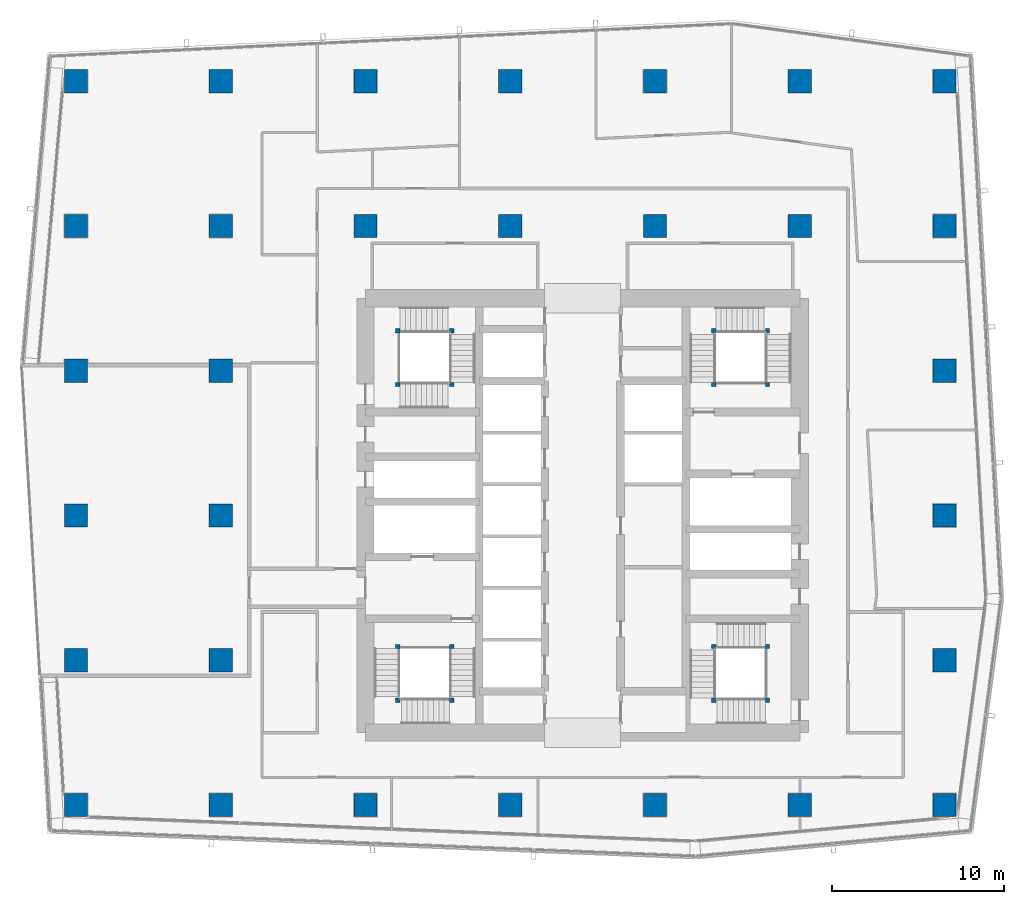
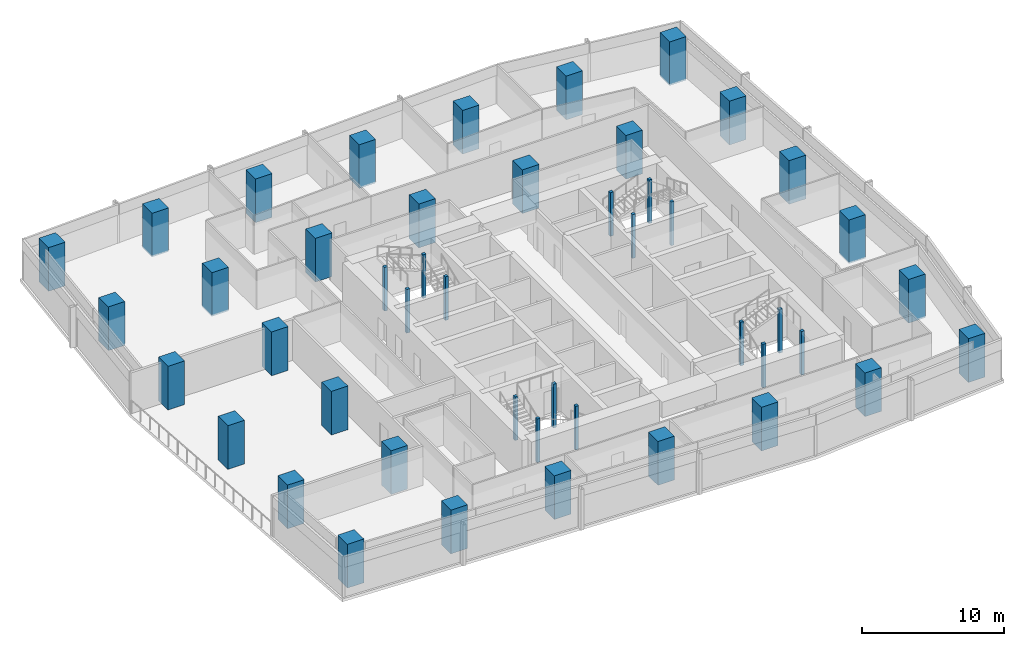
# One storey, part 1 of 39: 46 columns.
"""IFC4 building model written with IfcOpenShell, lengths in metres."""

from ifc_helpers import new_model, si_unit, direction, frame, origin, origin_2d, place, context, subcontext, project, spatial, rectangle, extrude, material, material_profile, profile_set, type_object, element, save


model = new_model("IFC4")

# Units and contexts
model_context = context("Model", 3, precision=1e-05, world=origin(), true_north=direction((0.0, 1.0)))
body_context = subcontext(model_context, "Body", "Model", "MODEL_VIEW")
ifc_project = project(units=[si_unit("LENGTHUNIT", "METRE"), si_unit("AREAUNIT", "SQUARE_METRE"), si_unit("VOLUMEUNIT", "CUBIC_METRE"), si_unit("PLANEANGLEUNIT", "RADIAN"), si_unit("MASSUNIT", "GRAM", prefix="KILO")], contexts=[model_context])

# Site, building, storey
site_placement = place(None, origin())
site = spatial("IfcSite", under=ifc_project, at=site_placement, CompositionType="ELEMENT")
building_placement = place(site_placement, origin())
building = spatial("IfcBuilding", under=site, at=building_placement, Name="Rekha Terrace Tower", CompositionType="ELEMENT")
storey_placement = place(building_placement, frame((0.0, 0.0, 221.449951171875)))
storey = spatial("IfcBuildingStorey", under=building, at=storey_placement, Name="L56", CompositionType="ELEMENT", Elevation=221.449951171875)

# Columns
ifc_material_1 = material(Name="Concrete M70", Category="concrete")
ifc_material_profile_1 = material_profile(ifc_material_1, rectangle(XDim=1.35009765625, YDim=1.35009765625, at=origin_2d()), Name="RC 1350x1350")
ifc_profile_set_1 = profile_set([ifc_material_profile_1], Name="Concrete M70")
column_type_1 = type_object("IfcColumnType", Name="C4 1350x1350 column", PredefinedType="COLUMN", material=ifc_profile_set_1)
for number, where, z_axis, x_axis, name in (
    (1, (8.39990234375, 16.800048828125, 0.0), (0.0, 0.0, 1.0), (1.0, 0.0, 0.0), "Column C4 2/C L56"),
    (2, (8.39990234375, 25.199951171875, 0.0), (0.0, 0.0, 1.0), (1.0, 0.0, 0.0), "Column C4 2/D L56"),
    (3, (8.39990234375, 33.60009765625, 0.0), (0.0, 0.0, 1.0), (1.0, 0.0, 0.0), "Column C4 2/E L56"),
    (4, (8.39990234375, 42.0, 0.0), (0.0, 0.0, 1.0), (1.0, 0.0, 0.0), "Column C4 2/F L56"),
    (5, (8.39990234375, 50.39990234375, 0.0), (0.0, 0.0, 1.0), (1.0, 0.0, 0.0), "Column C4 2/G L56"),
    (6, (8.39990234375, 58.800048828125, 0.0), (0.0, 0.0, 1.0), (1.0, 0.0, 0.0), "Column C4 2/H L56"),
    (7, (16.800048828125, 16.800048828125, 0.0), (0.0, 0.0, 1.0), (1.0, 0.0, 0.0), "Column C4 3/C L56"),
    (8, (16.800048828125, 25.199951171875, 0.0), (0.0, 0.0, 1.0), (1.0, 0.0, 0.0), "Column C4 3/D L56"),
    (9, (16.800048828125, 33.60009765625, 0.0), (0.0, 0.0, 1.0), (1.0, 0.0, 0.0), "Column C4 3/E L56"),
    (10, (16.800048828125, 42.0, 0.0), (0.0, 0.0, 1.0), (1.0, 0.0, 0.0), "Column C4 3/F L56"),
    (11, (16.800048828125, 50.39990234375, 0.0), (0.0, 0.0, 1.0), (1.0, 0.0, 0.0), "Column C4 3/G L56"),
    (12, (16.800048828125, 58.800048828125, 0.0), (0.0, 0.0, 1.0), (1.0, 0.0, 0.0), "Column C4 3/H L56"),
    (13, (25.199951171875, 16.800048828125, 0.0), (0.0, 0.0, 1.0), (1.0, 0.0, 0.0), "Column C4 4/C L56"),
    (14, (25.199951171875, 50.39990234375, 0.0), (0.0, 0.0, 1.0), (1.0, 0.0, 0.0), "Column C4 4/G L56"),
    (15, (25.199951171875, 58.800048828125, 0.0), (0.0, 0.0, 1.0), (1.0, 0.0, 0.0), "Column C4 4/H L56"),
    (16, (33.60009765625, 16.800048828125, 0.0), (0.0, 0.0, 1.0), (1.0, 0.0, 0.0), "Column C4 5/C L56"),
    (17, (33.60009765625, 50.39990234375, 0.0), (0.0, 0.0, 1.0), (1.0, 0.0, 0.0), "Column C4 5/G L56"),
    (18, (33.60009765625, 58.800048828125, 0.0), (0.0, 0.0, 1.0), (1.0, 0.0, 0.0), "Column C4 5/H L56"),
    (19, (42.0, 16.800048828125, 0.0), (0.0, 0.0, 1.0), (1.0, 0.0, 0.0), "Column C4 6/C L56"),
    (20, (42.0, 50.39990234375, 0.0), (0.0, 0.0, 1.0), (1.0, 0.0, 0.0), "Column C4 6/G L56"),
    (21, (42.0, 58.800048828125, 0.0), (0.0, 0.0, 1.0), (1.0, 0.0, 0.0), "Column C4 6/H L56"),
    (22, (50.39990234375, 16.800048828125, 0.0), (0.0, 0.0, 1.0), (1.0, 0.0, 0.0), "Column C4 7/C L56"),
    (23, (50.39990234375, 50.39990234375, 0.0), (0.0, 0.0, 1.0), (1.0, 0.0, 0.0), "Column C4 7/G L56"),
    (24, (50.39990234375, 58.800048828125, 0.0), (0.0, 0.0, 1.0), (1.0, 0.0, 0.0), "Column C4 7/H L56"),
    (25, (58.800048828125, 16.800048828125, 0.0), (0.0, 0.0, 1.0), (1.0, 0.0, 0.0), "Column C4 8/C L56"),
    (26, (58.800048828125, 25.199951171875, 0.0), (0.0, 0.0, 1.0), (1.0, 0.0, 0.0), "Column C4 8/D L56"),
    (27, (58.800048828125, 33.60009765625, 0.0), (0.0, 0.0, 1.0), (1.0, 0.0, 0.0), "Column C4 8/E L56"),
    (28, (58.800048828125, 42.0, 0.0), (0.0, 0.0, 1.0), (1.0, 0.0, 0.0), "Column C4 8/F L56"),
    (29, (58.800048828125, 50.39990234375, 0.0), (0.0, 0.0, 1.0), (1.0, 0.0, 0.0), "Column C4 8/G L56"),
    (30, (58.800048828125, 58.800048828125, 0.0), (0.0, 0.0, 1.0), (1.0, 0.0, 0.0), "Column C4 8/H L56"),
):
    element("IfcColumn", number, at=place(storey_placement, frame(where, z_axis=z_axis, x_axis=x_axis)), inside=storey, type_object=column_type_1, Name=name, PredefinedType="COLUMN", context=body_context, shape_type="SweptSolid", body=[
        extrude(rectangle(XDim=1.35009765625, YDim=1.35009765625, at=origin_2d()), origin(), (0.0, 0.0, 1.0), 3.75),
    ])
ifc_material_2 = material(Name="Concrete M60", Category="concrete")
ifc_material_profile_2 = material_profile(ifc_material_2, rectangle(XDim=0.25, YDim=0.25, at=origin_2d()), Name="RC 250x250")
ifc_profile_set_2 = profile_set([ifc_material_profile_2], Name="Concrete M60")
column_type_2 = type_object("IfcColumnType", Name="NP1 250x250 stair newel post", PredefinedType="COLUMN", material=ifc_profile_set_2)
for number, where, z_axis, x_axis, name in (
    (31, (30.199951171875, 26.0, 0.0), (0.0, 0.0, 1.0), (1.0, 0.0, 0.0), "Stair newel post NP1"),
    (32, (30.199951171875, 22.875, 0.0), (0.0, 0.0, 1.0), (1.0, 0.0, 0.0), "Stair newel post NP1"),
    (33, (27.074951171875, 22.875, 0.0), (0.0, 0.0, 1.0), (1.0, 0.0, 0.0), "Stair newel post NP1"),
    (34, (27.074951171875, 26.0, 0.0), (0.0, 0.0, 1.0), (1.0, 0.0, 0.0), "Stair newel post NP1"),
    (35, (45.39990234375, 41.199951171875, 0.0), (0.0, 0.0, 1.0), (1.0, 0.0, 0.0), "Stair newel post NP1"),
    (36, (45.39990234375, 44.324951171875, 0.0), (0.0, 0.0, 1.0), (1.0, 0.0, 0.0), "Stair newel post NP1"),
    (37, (48.52490234375, 44.324951171875, 0.0), (0.0, 0.0, 1.0), (1.0, 0.0, 0.0), "Stair newel post NP1"),
    (38, (48.52490234375, 41.199951171875, 0.0), (0.0, 0.0, 1.0), (1.0, 0.0, 0.0), "Stair newel post NP1"),
    (39, (48.52490234375, 22.875, 0.0), (0.0, 0.0, 1.0), (1.0, 0.0, 0.0), "Stair newel post NP1"),
    (40, (45.39990234375, 22.875, 0.0), (0.0, 0.0, 1.0), (1.0, 0.0, 0.0), "Stair newel post NP1"),
    (41, (45.39990234375, 26.0, 0.0), (0.0, 0.0, 1.0), (1.0, 0.0, 0.0), "Stair newel post NP1"),
    (42, (48.52490234375, 26.0, 0.0), (0.0, 0.0, 1.0), (1.0, 0.0, 0.0), "Stair newel post NP1"),
    (43, (27.074951171875, 41.199951171875, 0.0), (0.0, 0.0, 1.0), (1.0, 0.0, 0.0), "Stair newel post NP1"),
    (44, (30.199951171875, 41.199951171875, 0.0), (0.0, 0.0, 1.0), (1.0, 0.0, 0.0), "Stair newel post NP1"),
    (45, (30.199951171875, 44.324951171875, 0.0), (0.0, 0.0, 1.0), (1.0, 0.0, 0.0), "Stair newel post NP1"),
    (46, (27.074951171875, 44.324951171875, 0.0), (0.0, 0.0, 1.0), (1.0, 0.0, 0.0), "Stair newel post NP1"),
):
    element("IfcColumn", number, at=place(storey_placement, frame(where, z_axis=z_axis, x_axis=x_axis)), inside=storey, type_object=column_type_2, Name=name, PredefinedType="COLUMN", context=body_context, shape_type="SweptSolid", body=[
        extrude(rectangle(XDim=0.25, YDim=0.25, at=origin_2d()), origin(), (0.0, 0.0, 1.0), 3.75),
    ])

save(model, "model.ifc")
